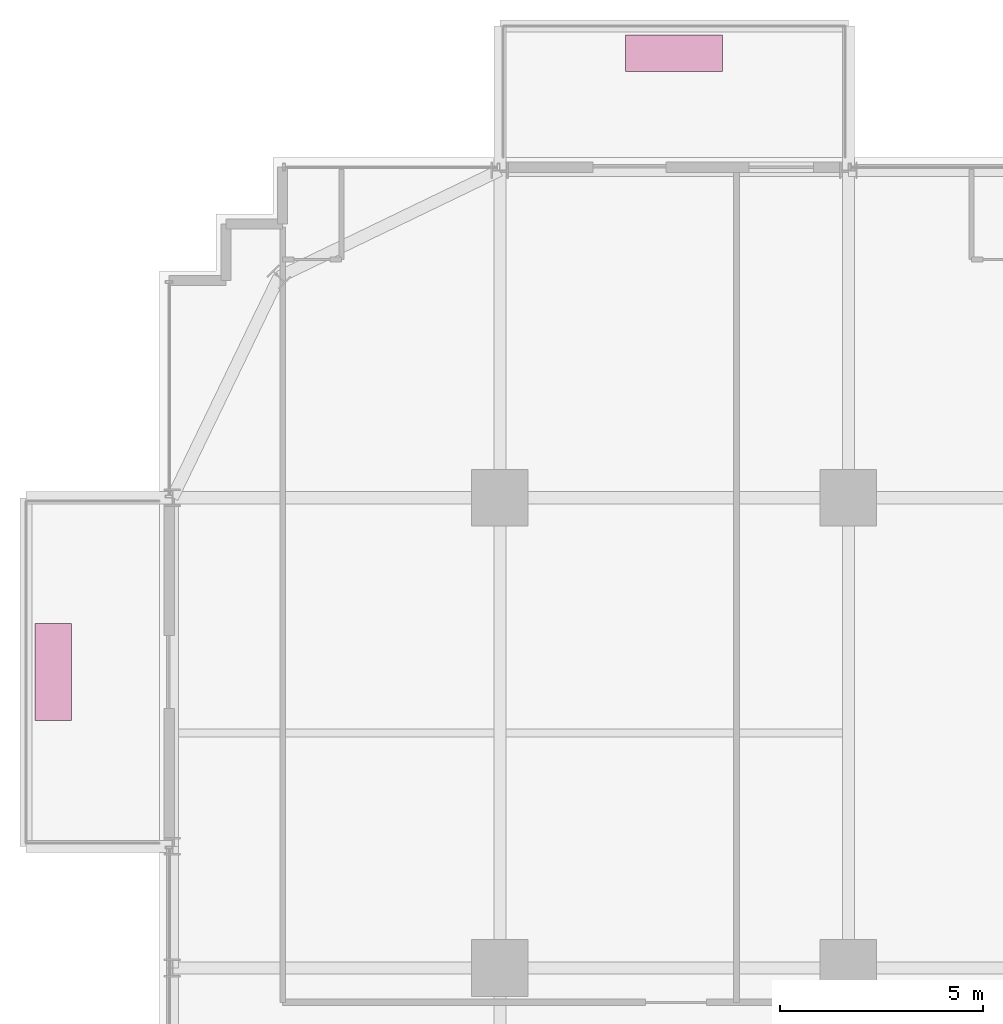
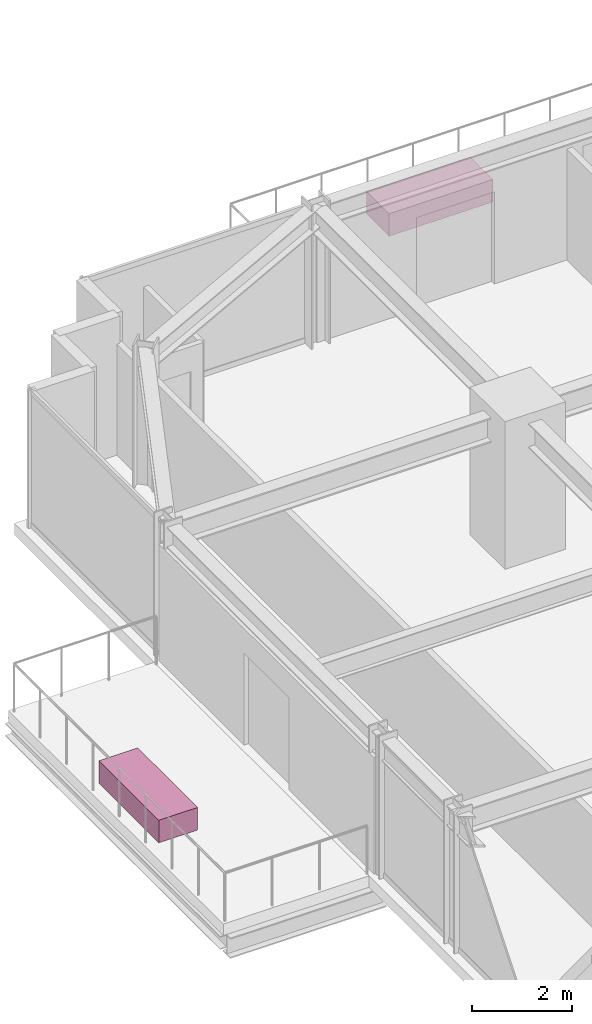
# One storey, part 36 of 36: 2 furnishings.
"""IFC4 building model written with IfcOpenShell, lengths in metres."""

from ifc_helpers import new_model, si_unit, direction, frame, origin, origin_2d, place, context, subcontext, project, spatial, rectangle, extrude, source, transform, mapped, material, type_object, element, save


model = new_model("IFC4")

# Units and contexts
model_context = context("Model", 3, precision=1e-05, world=origin(), true_north=direction((0.0, 1.0)))
body_context = subcontext(model_context, "Body", "Model", "MODEL_VIEW")
ifc_project = project(units=[si_unit("LENGTHUNIT", "METRE"), si_unit("AREAUNIT", "SQUARE_METRE"), si_unit("VOLUMEUNIT", "CUBIC_METRE"), si_unit("PLANEANGLEUNIT", "RADIAN"), si_unit("MASSUNIT", "GRAM", prefix="KILO")], contexts=[model_context])

# Site, building, storey
site_placement = place(None, origin())
site = spatial("IfcSite", under=ifc_project, at=site_placement, CompositionType="ELEMENT")
building_placement = place(site_placement, origin())
building = spatial("IfcBuilding", under=site, at=building_placement, Name="Nahalor Promenade Grand Hotel", CompositionType="ELEMENT")
storey_placement = place(building_placement, frame((0.0, 0.0, 76.199951171875)))
storey = spatial("IfcBuildingStorey", under=building, at=storey_placement, Name="L18", CompositionType="ELEMENT", Elevation=76.199951171875)

# Furnishings
ifc_material = material(Name="Vegetated Volcanic-Lapilli Tree Planter", Category="earth")
furnishing_element_type = type_object("IfcFurnishingElementType", Name="Planter-VerticalForest-Box", material=ifc_material)
shared_shape = source(origin(), body_context, "Body", "SweptSolid", [
    extrude(rectangle(XDim=2.39990234375, YDim=0.89990234375, at=origin_2d()), origin(), (0.0, 0.0, 1.0), 0.550048828125),
])
for number, where, z_axis, x_axis, name in (
    (1, (-12.699951171875, 27.969970703125, 0.0), (0.0, 0.0, 1.0), (1.0, 0.0, 0.0), "L18 Balcony Structural Tree Planter 1"),
    (2, (-28.02001953125, 12.699951171875, 0.0), (0.0, 0.0, 1.0), (0.0, 1.0, 0.0), "L18 Balcony Structural Tree Planter 2"),
):
    element("IfcFurnishingElement", number, at=place(storey_placement, frame(where, z_axis=z_axis, x_axis=x_axis)), inside=storey, type_object=furnishing_element_type, Name=name, ObjectType="PLANTER", context=body_context, shape_type="MappedRepresentation", body=[
        mapped(shared_shape, transform((0.0, 0.0, 0.0), scale=1.0)),
    ])

save(model, "model.ifc")
